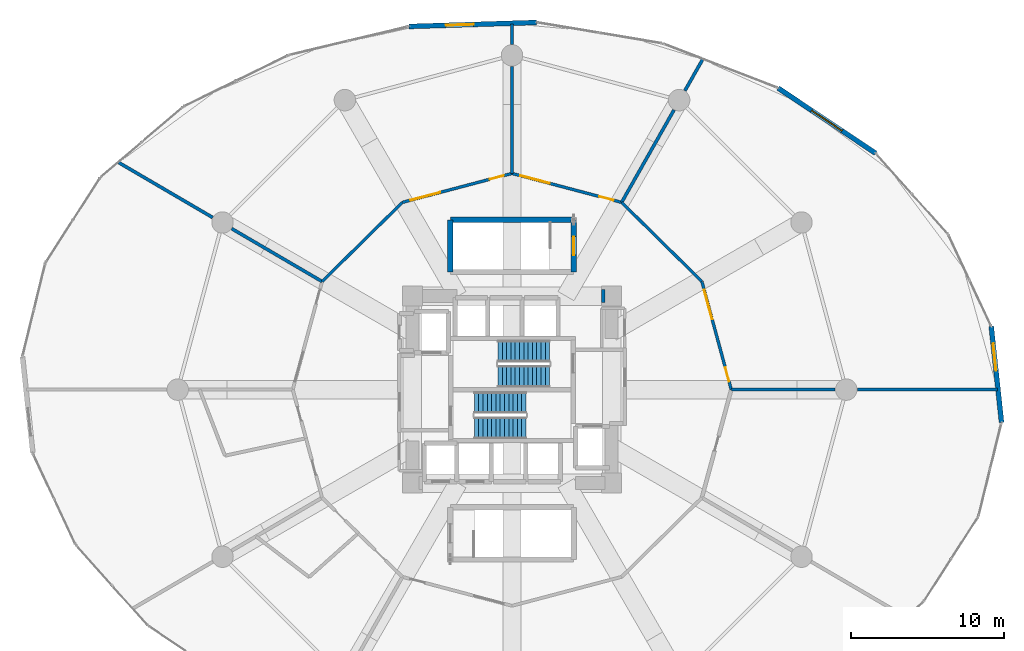
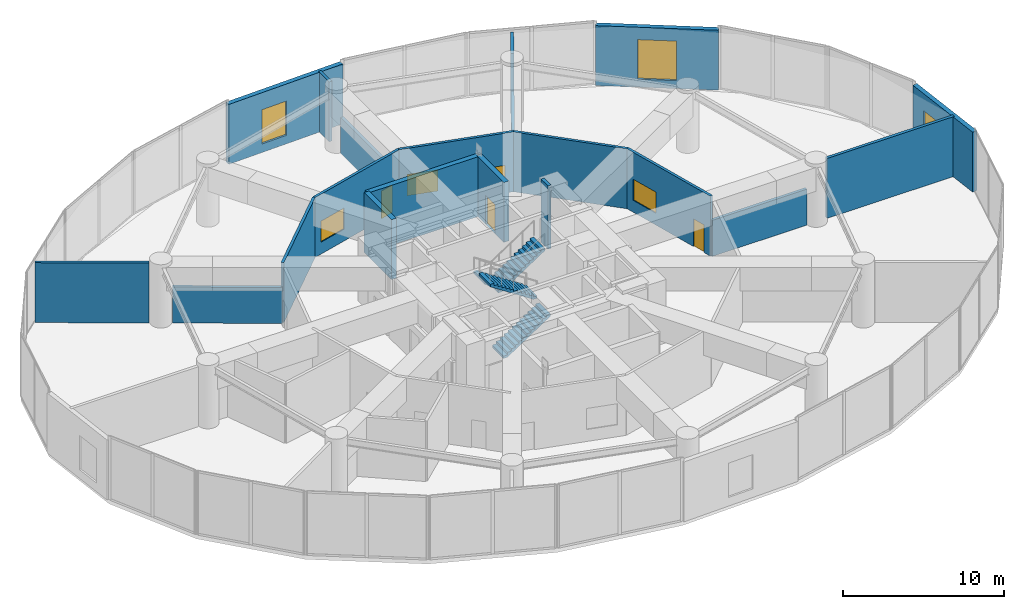
# One storey, part 25 of 27: 20 walls, 6 windows, 4 doors, 4 stair flights, 10 openings, 2 elements without a shape of their own.
"""IFC4 building model written with IfcOpenShell, lengths in metres."""

from ifc_helpers import new_model, si_unit, direction, frame, frame_2d, origin, place, context, subcontext, project, spatial, polyline, rectangle, outline, extrude, material, layer, layer_set, type_object, element, fill, aggregate, save


model = new_model("IFC4")

# Units and contexts
model_context = context("Model", 3, precision=1e-05, world=origin(), true_north=direction((0.0, 1.0)))
body_context = subcontext(model_context, "Body", "Model", "MODEL_VIEW")
ifc_project = project(units=[si_unit("LENGTHUNIT", "METRE"), si_unit("AREAUNIT", "SQUARE_METRE"), si_unit("VOLUMEUNIT", "CUBIC_METRE"), si_unit("PLANEANGLEUNIT", "RADIAN"), si_unit("MASSUNIT", "GRAM", prefix="KILO")], contexts=[model_context])

# Site, building, storey
site_placement = place(None, origin())
site = spatial("IfcSite", under=ifc_project, at=site_placement, CompositionType="ELEMENT")
building_placement = place(site_placement, origin())
building = spatial("IfcBuilding", under=site, at=building_placement, Name="Solvirekh Grand Hotel", CompositionType="ELEMENT")
storey_placement = place(building_placement, frame((0.0, 0.0, 23.60009765625)))
storey = spatial("IfcBuildingStorey", under=building, at=storey_placement, Name="L04", CompositionType="ELEMENT", Elevation=23.60009765625)

# Wall, opening, door
ifc_material_1 = material(Name="Concrete C50/60", Category="concrete")
ifc_layer_1 = layer(ifc_material_1, 0.35009765625)
ifc_layer_set_1 = layer_set([ifc_layer_1], Name="Concrete C50/60")
wall_type_1 = type_object("IfcWallType", Name="CoreDivWall_RC350", PredefinedType="SOLIDWALL", material=ifc_layer_set_1)
wall_1_placement = place(storey_placement, frame((4.02490234375, 7.675048828125, 0.0), z_axis=(0.0, 0.0, 1.0), x_axis=(0.0, 1.0, 0.0)))
wall_1 = element("IfcWall", 1, at=wall_1_placement, inside=storey, type_object=wall_type_1, Name="L04 feature stair ST-4 east landing wall", PredefinedType="SOLIDWALL", context=body_context, shape_type="SweptSolid", body=[
    extrude(rectangle(XDim=3.39990234375, YDim=0.35009765625, at=frame_2d((1.699951171875, 0.0))), origin(), (0.0, 0.0, 1.0), 4.539794921875),
])
opening_1_placement = place(wall_1_placement, frame((1.10009765625, 0.0, 0.0)))
opening_1 = element("IfcOpeningElement", 2, at=opening_1_placement, cuts=wall_1, Name="Opening D05", PredefinedType="OPENING", context=body_context, shape_type="SweptSolid", body=[
    extrude(rectangle(XDim=1.199951171875, YDim=2.199951171875, at=frame_2d((0.60009765625, 1.10009765625))), frame((0.0, 0.18505859375, 0.0), z_axis=(0.0, -1.0, 0.0), x_axis=(1.0, 0.0, 0.0)), (0.0, 0.0, 1.0), 0.3701171875),
])
ifc_material_2 = material(Name="Fire-Rated Steel Door Assembly", Category="steel")
door_type_1 = type_object("IfcDoorType", Name="Door_StairCore_1200X2200", OperationType="NOTDEFINED", PredefinedType="DOOR", material=ifc_material_2)
door_1_placement = place(opening_1_placement, origin())
door_1 = element("IfcDoor", 3, at=door_1_placement, inside=storey, type_object=door_type_1, Name="L04 feature stair ST-4 fire door", OperationType="SINGLE_SWING_RIGHT", OverallHeight=2.199951171875, OverallWidth=1.199951171875, PredefinedType="DOOR", context=body_context, shape_type="SweptSolid", body=[
    extrude(rectangle(XDim=1.199951171875, YDim=2.199951171875, at=frame_2d((0.60009765625, 1.10009765625))), frame((0.0, 0.02490234375, 0.0), z_axis=(0.0, -1.0, 0.0), x_axis=(1.0, 0.0, 0.0)), (0.0, 0.0, 1.0), 0.050048828125),
])
fill(opening_1, door_1)

# Walls
wall_2_placement = place(storey_placement, frame((4.02490234375, 11.074951171875, 0.0), z_axis=(0.0, 0.0, 1.0), x_axis=(-1.0, 0.0, 0.0)))
element("IfcWall", 4, at=wall_2_placement, inside=storey, type_object=wall_type_1, Name="L04 feature stair ST-4 N enclosure wall", PredefinedType="SOLIDWALL", context=body_context, shape_type="SweptSolid", body=[
    extrude(rectangle(XDim=8.0498046875, YDim=0.35009765625, at=frame_2d((4.02490234375, 0.0))), origin(), (0.0, 0.0, 1.0), 4.539794921875),
])
wall_3_placement = place(storey_placement, frame((-4.02490234375, 11.074951171875, 0.0), z_axis=(0.0, 0.0, 1.0), x_axis=(0.0, -1.0, 0.0)))
element("IfcWall", 5, at=wall_3_placement, inside=storey, type_object=wall_type_1, Name="L04 feature stair ST-4 W enclosure wall", PredefinedType="SOLIDWALL", context=body_context, shape_type="SweptSolid", body=[
    extrude(rectangle(XDim=3.39990234375, YDim=0.35009765625, at=frame_2d((1.699951171875, 0.0))), origin(), (0.0, 0.0, 1.0), 4.539794921875),
])
ifc_material_3 = material(Name="Concrete C60/75", Category="concrete")
ifc_layer_2 = layer(ifc_material_3, 0.85009765625)
ifc_layer_set_2 = layer_set([ifc_layer_2], Name="Concrete C60/75")
wall_type_2 = type_object("IfcWallType", Name="CoreWall_RC850", PredefinedType="SHEAR", material=ifc_layer_set_2)
wall_4_placement = place(storey_placement, frame((5.85009765625, 6.10009765625, 0.0), z_axis=(0.0, 0.0, 1.0), x_axis=(1.0, 0.0, 0.0)))
element("IfcWall", 6, at=wall_4_placement, inside=storey, type_object=wall_type_2, Name="L04 core corner shear wall NE-N", PredefinedType="SHEAR", context=body_context, shape_type="SweptSolid", body=[
    extrude(rectangle(XDim=0.224853515625, YDim=0.85009765625, at=frame_2d((0.1123046875, 0.0))), origin(), (0.0, 0.0, 1.0), 4.7998046875),
])

# Wall, opening, window
ifc_material_4 = material(Name="Precast concrete C45/55", Category="concrete")
ifc_layer_3 = layer(ifc_material_4, 0.320068359375)
ifc_layer_set_3 = layer_set([ifc_layer_3], Name="Precast concrete C45/55")
wall_type_3 = type_object("IfcWallType", Name="ExtLobbyWall_RC320", PredefinedType="SOLIDWALL", material=ifc_layer_set_3)
wall_5_placement = place(storey_placement, frame((31.256103515625, 4.1279296875, 0.0), z_axis=(0.0, 0.0, 1.0), x_axis=(0.106530390003, -0.994309446805, 0.0)))
wall_5 = element("IfcWall", 7, at=wall_5_placement, inside=storey, type_object=wall_type_3, Name="L04 exterior structural wall chord 1", PredefinedType="SOLIDWALL", context=body_context, shape_type="SweptSolid", body=[
    extrude(rectangle(XDim=6.306884765625, YDim=0.320068359375, at=frame_2d((3.1533203125, 0.0))), origin(), (0.0, 0.0, 1.0), 4.539794921875),
])
opening_2_placement = place(wall_5_placement, frame((1.1240234375, 0.0, 0.64990234375)))
opening_2 = element("IfcOpeningElement", 8, at=opening_2_placement, cuts=wall_5, Name="Opening W02", PredefinedType="OPENING", context=body_context, shape_type="SweptSolid", body=[
    extrude(rectangle(XDim=1.800048828125, YDim=2.60009765625, at=frame_2d((0.89990234375, 1.300048828125))), frame((0.0, 0.169921875, 0.0), z_axis=(0.0, -1.0, 0.0), x_axis=(1.0, 0.0, 0.0)), (0.0, 0.0, 1.0), 0.340087890625),
])
ifc_material_5 = material(Name="Low-E Tinted Bronze Laminated Glass", Category="aluminium")
window_type_1 = type_object("IfcWindowType", Name="Win_LobbyExt_1800X2600", PartitioningType="SINGLE_PANEL", PredefinedType="WINDOW", material=ifc_material_5)
window_1_placement = place(opening_2_placement, origin())
window_1 = element("IfcWindow", 9, at=window_1_placement, inside=storey, type_object=window_type_1, Name="L04 panoramic bronze-framed window 1", OverallHeight=2.60009765625, OverallWidth=1.800048828125, PartitioningType="SINGLE_PANEL", PredefinedType="WINDOW", context=body_context, shape_type="SweptSolid", body=[
    extrude(rectangle(XDim=1.800048828125, YDim=2.60009765625, at=frame_2d((0.89990234375, 1.300048828125))), frame((0.0, 0.030029296875, 0.0), z_axis=(0.0, -1.0, 0.0), x_axis=(1.0, 0.0, 0.0)), (0.0, 0.0, 1.0), 0.06005859375),
])
fill(opening_2, window_1)

wall_6_placement = place(storey_placement, frame((17.35595703125, 19.666015625, 0.0), z_axis=(0.0, 0.0, 1.0), x_axis=(0.831381626456, -0.555701890577, 0.0)))
wall_6 = element("IfcWall", 10, at=wall_6_placement, inside=storey, type_object=wall_type_3, Name="L04 exterior structural wall chord 4", PredefinedType="SOLIDWALL", context=body_context, shape_type="SweptSolid", body=[
    extrude(rectangle(XDim=7.646240234375, YDim=0.320068359375, at=frame_2d((3.8232421875, 0.0))), origin(), (0.0, 0.0, 1.0), 4.539794921875),
])
opening_3_placement = place(wall_6_placement, frame((2.623046875, 0.0, 0.60009765625)))
opening_3 = element("IfcOpeningElement", 11, at=opening_3_placement, cuts=wall_6, Name="Opening SK01", PredefinedType="OPENING", context=body_context, shape_type="SweptSolid", body=[
    extrude(rectangle(XDim=2.39990234375, YDim=3.0, at=frame_2d((1.199951171875, 1.5))), frame((0.0, 0.169921875, 0.0), z_axis=(0.0, -1.0, 0.0), x_axis=(1.0, 0.0, 0.0)), (0.0, 0.0, 1.0), 0.340087890625),
])
ifc_material_6 = material(Name="Champagne Low-Iron Crown Laminated Glass", Category="glass")
window_type_2 = type_object("IfcWindowType", Name="Skylight_Podium_2400X3000", PartitioningType="SINGLE_PANEL", PredefinedType="SKYLIGHT", material=ifc_material_6)
window_2_placement = place(opening_3_placement, origin())
window_2 = element("IfcWindow", 12, at=window_2_placement, inside=storey, type_object=window_type_2, Name="L04 high-level clerestory skylight 4", OverallHeight=3.0, OverallWidth=2.39990234375, PartitioningType="SINGLE_PANEL", PredefinedType="SKYLIGHT", context=body_context, shape_type="SweptSolid", body=[
    extrude(rectangle(XDim=2.39990234375, YDim=3.0, at=frame_2d((1.199951171875, 1.5))), frame((0.0, 0.030029296875, 0.0), z_axis=(0.0, -1.0, 0.0), x_axis=(1.0, 0.0, 0.0)), (0.0, 0.0, 1.0), 0.06005859375),
])
fill(opening_3, window_2)

wall_7_placement = place(storey_placement, frame((-6.7109375, 23.68505859375, 0.0), z_axis=(0.0, 0.0, 1.0), x_axis=(0.999508118347, 0.031361144071, 0.0)))
wall_7 = element("IfcWall", 13, at=wall_7_placement, inside=storey, type_object=wall_type_3, Name="L04 exterior structural wall chord 7", PredefinedType="SOLIDWALL", context=body_context, shape_type="SweptSolid", body=[
    extrude(rectangle(XDim=8.322021484375, YDim=0.320068359375, at=frame_2d((4.1611328125, 0.0))), origin(), (0.0, 0.0, 1.0), 4.539794921875),
])
opening_4_placement = place(wall_7_placement, frame((2.406982421875, 0.0, 0.64990234375)))
opening_4 = element("IfcOpeningElement", 14, at=opening_4_placement, cuts=wall_7, Name="Opening W02", PredefinedType="OPENING", context=body_context, shape_type="SweptSolid", body=[
    extrude(rectangle(XDim=1.800048828125, YDim=2.60009765625, at=frame_2d((0.89990234375, 1.300048828125))), frame((0.0, 0.169921875, 0.0), z_axis=(0.0, -1.0, 0.0), x_axis=(1.0, 0.0, 0.0)), (0.0, 0.0, 1.0), 0.340087890625),
])
window_3_placement = place(opening_4_placement, origin())
window_3 = element("IfcWindow", 15, at=window_3_placement, inside=storey, type_object=window_type_1, Name="L04 panoramic bronze-framed window 7", OverallHeight=2.60009765625, OverallWidth=1.800048828125, PartitioningType="SINGLE_PANEL", PredefinedType="WINDOW", context=body_context, shape_type="SweptSolid", body=[
    extrude(rectangle(XDim=1.800048828125, YDim=2.60009765625, at=frame_2d((0.89990234375, 1.300048828125))), frame((0.0, 0.030029296875, 0.0), z_axis=(0.0, -1.0, 0.0), x_axis=(1.0, 0.0, 0.0)), (0.0, 0.0, 1.0), 0.06005859375),
])
fill(opening_4, window_3)

# Wall, openings, door, window
ifc_material_7 = material(Name="Acoustic Gypsum Partition Assembly")
ifc_layer_4 = layer(ifc_material_7, 0.18994140625)
ifc_layer_set_4 = layer_set([ifc_layer_4], Name="Acoustic Gypsum Partition Assembly")
wall_type_4 = type_object("IfcWallType", Name="Part_GuestDemise_190", PredefinedType="PARTITIONING", material=ifc_layer_set_4)
wall_8_placement = place(storey_placement, frame((14.300048828125, 0.0, 0.0), z_axis=(0.0, 0.0, 1.0), x_axis=(-0.262260528785, 0.964997106235, 0.0)))
wall_8 = element("IfcWall", 16, at=wall_8_placement, inside=storey, type_object=wall_type_4, Name="L04 Thermal Wellness Spa & Hydrotherapy Pool Hall corridor wall", PredefinedType="PARTITIONING", context=body_context, shape_type="SweptSolid", body=[
    extrude(rectangle(XDim=7.3056640625, YDim=0.18994140625, at=frame_2d((3.65283203125, 0.0))), origin(), (0.0, 0.0, 1.0), 4.539794921875),
])
opening_5_placement = place(wall_8_placement, frame((0.550048828125, 0.0, 0.0)))
opening_5 = element("IfcOpeningElement", 17, at=opening_5_placement, cuts=wall_8, Name="Opening D10", PredefinedType="OPENING", context=body_context, shape_type="SweptSolid", body=[
    extrude(rectangle(XDim=0.949951171875, YDim=2.10009765625, at=frame_2d((0.47509765625, 1.050048828125))), frame((0.0, 0.10498046875, 0.0), z_axis=(0.0, -1.0, 0.0), x_axis=(1.0, 0.0, 0.0)), (0.0, 0.0, 1.0), 0.2099609375),
])
opening_6_placement = place(wall_8_placement, frame((4.756103515625, 0.0, 0.89990234375)))
opening_6 = element("IfcOpeningElement", 18, at=opening_6_placement, cuts=wall_8, Name="Opening W03", PredefinedType="OPENING", context=body_context, shape_type="SweptSolid", body=[
    extrude(rectangle(XDim=2.0, YDim=1.60009765625, at=frame_2d((1.0, 0.800048828125))), frame((0.0, 0.10498046875, 0.0), z_axis=(0.0, -1.0, 0.0), x_axis=(1.0, 0.0, 0.0)), (0.0, 0.0, 1.0), 0.2099609375),
])
ifc_material_8 = material(Name="Anodized Bronze Aluminium 6063-T6", Category="aluminium")
door_type_2 = type_object("IfcDoorType", Name="Door_RoomInt_950X2100", OperationType="NOTDEFINED", PredefinedType="DOOR", material=ifc_material_8)
door_2_placement = place(opening_5_placement, origin())
door_2 = element("IfcDoor", 19, at=door_2_placement, inside=storey, type_object=door_type_2, Name="L04 Thermal Wellness Spa & Hydrotherapy Pool Hall entrance door", OperationType="SINGLE_SWING_RIGHT", OverallHeight=2.10009765625, OverallWidth=0.949951171875, PredefinedType="DOOR", context=body_context, shape_type="SweptSolid", body=[
    extrude(rectangle(XDim=0.949951171875, YDim=2.10009765625, at=frame_2d((0.47509765625, 1.050048828125))), frame((0.0, 0.02490234375, 0.0), z_axis=(0.0, -1.0, 0.0), x_axis=(1.0, 0.0, 0.0)), (0.0, 0.0, 1.0), 0.050048828125),
])
fill(opening_5, door_2)
ifc_material_9 = material(Name="Fire-Rated Ceramic Glazing", Category="glass")
window_type_3 = type_object("IfcWindowType", Name="Win_FoyerInt_2000X1600", PartitioningType="SINGLE_PANEL", PredefinedType="WINDOW", material=ifc_material_9)
window_4_placement = place(opening_6_placement, origin())
window_4 = element("IfcWindow", 20, at=window_4_placement, inside=storey, type_object=window_type_3, Name="L04 Thermal Wellness Spa & Hydrotherapy Pool Hall interior glazed screen", OverallHeight=1.60009765625, OverallWidth=2.0, PartitioningType="SINGLE_PANEL", PredefinedType="WINDOW", context=body_context, shape_type="SweptSolid", body=[
    extrude(rectangle(XDim=2.0, YDim=1.60009765625, at=frame_2d((1.0, 0.800048828125))), frame((0.0, 0.030029296875, 0.0), z_axis=(0.0, -1.0, 0.0), x_axis=(1.0, 0.0, 0.0)), (0.0, 0.0, 1.0), 0.06005859375),
])
fill(opening_6, window_4)

# Wall
wall_9_placement = place(storey_placement, frame((12.384033203125, 7.050048828125, 0.0), z_axis=(0.0, 0.0, 1.0), x_axis=(-0.712071304345, 0.702107155303, 0.0)))
element("IfcWall", 21, at=wall_9_placement, inside=storey, type_object=wall_type_4, Name="L04 Thermal Wellness Spa & Hydrotherapy Pool Hall corridor wall 2", PredefinedType="PARTITIONING", context=body_context, shape_type="SweptSolid", body=[
    extrude(rectangle(XDim=7.3505859375, YDim=0.18994140625, at=frame_2d((3.67529296875, 0.0))), origin(), (0.0, 0.0, 1.0), 4.539794921875),
])

# Wall, openings, door, window
wall_10_placement = place(storey_placement, frame((7.14990234375, 12.2109375, 0.0), z_axis=(0.0, 0.0, 1.0), x_axis=(-0.966820901533, 0.255455170937, 0.0)))
wall_10 = element("IfcWall", 22, at=wall_10_placement, inside=storey, type_object=wall_type_4, Name="L04 Vitality Spa Reception Salon corridor wall", PredefinedType="PARTITIONING", context=body_context, shape_type="SweptSolid", body=[
    extrude(rectangle(XDim=7.395263671875, YDim=0.18994140625, at=frame_2d((3.69775390625, 0.0))), origin(), (0.0, 0.0, 1.0), 4.539794921875),
])
opening_7_placement = place(wall_10_placement, frame((0.550048828125, 0.0, 0.0)))
opening_7 = element("IfcOpeningElement", 23, at=opening_7_placement, cuts=wall_10, Name="Opening D10", PredefinedType="OPENING", context=body_context, shape_type="SweptSolid", body=[
    extrude(rectangle(XDim=0.949951171875, YDim=2.10009765625, at=frame_2d((0.47509765625, 1.050048828125))), frame((0.0, 0.10498046875, 0.0), z_axis=(0.0, -1.0, 0.0), x_axis=(1.0, 0.0, 0.0)), (0.0, 0.0, 1.0), 0.2099609375),
])
opening_8_placement = place(wall_10_placement, frame((4.844970703125, 0.0, 0.89990234375)))
opening_8 = element("IfcOpeningElement", 24, at=opening_8_placement, cuts=wall_10, Name="Opening W03", PredefinedType="OPENING", context=body_context, shape_type="SweptSolid", body=[
    extrude(rectangle(XDim=2.0, YDim=1.60009765625, at=frame_2d((1.0, 0.800048828125))), frame((0.0, 0.10498046875, 0.0), z_axis=(0.0, -1.0, 0.0), x_axis=(1.0, 0.0, 0.0)), (0.0, 0.0, 1.0), 0.2099609375),
])
door_3_placement = place(opening_7_placement, origin())
door_3 = element("IfcDoor", 25, at=door_3_placement, inside=storey, type_object=door_type_2, Name="L04 Vitality Spa Reception Salon entrance door", OperationType="SINGLE_SWING_LEFT", OverallHeight=2.10009765625, OverallWidth=0.949951171875, PredefinedType="DOOR", context=body_context, shape_type="SweptSolid", body=[
    extrude(rectangle(XDim=0.949951171875, YDim=2.10009765625, at=frame_2d((0.47509765625, 1.050048828125))), frame((0.0, 0.02490234375, 0.0), z_axis=(0.0, -1.0, 0.0), x_axis=(1.0, 0.0, 0.0)), (0.0, 0.0, 1.0), 0.050048828125),
])
fill(opening_7, door_3)
window_5_placement = place(opening_8_placement, origin())
window_5 = element("IfcWindow", 26, at=window_5_placement, inside=storey, type_object=window_type_3, Name="L04 Vitality Spa Reception Salon interior glazed screen", OverallHeight=1.60009765625, OverallWidth=2.0, PartitioningType="SINGLE_PANEL", PredefinedType="WINDOW", context=body_context, shape_type="SweptSolid", body=[
    extrude(rectangle(XDim=2.0, YDim=1.60009765625, at=frame_2d((1.0, 0.800048828125))), frame((0.0, 0.030029296875, 0.0), z_axis=(0.0, -1.0, 0.0), x_axis=(1.0, 0.0, 0.0)), (0.0, 0.0, 1.0), 0.06005859375),
])
fill(opening_8, window_5)

wall_11_placement = place(storey_placement, frame((0.0, 14.10009765625, 0.0), z_axis=(0.0, 0.0, 1.0), x_axis=(-0.966820901533, -0.255455170937, 0.0)))
wall_11 = element("IfcWall", 27, at=wall_11_placement, inside=storey, type_object=wall_type_4, Name="L04 Russian Banya & Steam Relaxation Lounge corridor wall", PredefinedType="PARTITIONING", context=body_context, shape_type="SweptSolid", body=[
    extrude(rectangle(XDim=7.395263671875, YDim=0.18994140625, at=frame_2d((3.69775390625, 0.0))), origin(), (0.0, 0.0, 1.0), 4.539794921875),
])
opening_9_placement = place(wall_11_placement, frame((0.550048828125, 0.0, 0.0)))
opening_9 = element("IfcOpeningElement", 28, at=opening_9_placement, cuts=wall_11, Name="Opening D10", PredefinedType="OPENING", context=body_context, shape_type="SweptSolid", body=[
    extrude(rectangle(XDim=0.949951171875, YDim=2.10009765625, at=frame_2d((0.47509765625, 1.050048828125))), frame((0.0, 0.10498046875, 0.0), z_axis=(0.0, -1.0, 0.0), x_axis=(1.0, 0.0, 0.0)), (0.0, 0.0, 1.0), 0.2099609375),
])
opening_10_placement = place(wall_11_placement, frame((4.844970703125, 0.0, 0.89990234375)))
opening_10 = element("IfcOpeningElement", 29, at=opening_10_placement, cuts=wall_11, Name="Opening W03", PredefinedType="OPENING", context=body_context, shape_type="SweptSolid", body=[
    extrude(rectangle(XDim=2.0, YDim=1.60009765625, at=frame_2d((1.0, 0.800048828125))), frame((0.0, 0.10498046875, 0.0), z_axis=(0.0, -1.0, 0.0), x_axis=(1.0, 0.0, 0.0)), (0.0, 0.0, 1.0), 0.2099609375),
])
door_4_placement = place(opening_9_placement, origin())
door_4 = element("IfcDoor", 30, at=door_4_placement, inside=storey, type_object=door_type_2, Name="L04 Russian Banya & Steam Relaxation Lounge entrance door", OperationType="SINGLE_SWING_RIGHT", OverallHeight=2.10009765625, OverallWidth=0.949951171875, PredefinedType="DOOR", context=body_context, shape_type="SweptSolid", body=[
    extrude(rectangle(XDim=0.949951171875, YDim=2.10009765625, at=frame_2d((0.47509765625, 1.050048828125))), frame((0.0, 0.02490234375, 0.0), z_axis=(0.0, -1.0, 0.0), x_axis=(1.0, 0.0, 0.0)), (0.0, 0.0, 1.0), 0.050048828125),
])
fill(opening_9, door_4)
window_6_placement = place(opening_10_placement, origin())
window_6 = element("IfcWindow", 31, at=window_6_placement, inside=storey, type_object=window_type_3, Name="L04 Russian Banya & Steam Relaxation Lounge interior glazed screen", OverallHeight=1.60009765625, OverallWidth=2.0, PartitioningType="SINGLE_PANEL", PredefinedType="WINDOW", context=body_context, shape_type="SweptSolid", body=[
    extrude(rectangle(XDim=2.0, YDim=1.60009765625, at=frame_2d((1.0, 0.800048828125))), frame((0.0, 0.030029296875, 0.0), z_axis=(0.0, -1.0, 0.0), x_axis=(1.0, 0.0, 0.0)), (0.0, 0.0, 1.0), 0.06005859375),
])
fill(opening_10, window_6)

# Walls
wall_12_placement = place(storey_placement, frame((-7.14990234375, 12.2109375, 0.0), z_axis=(0.0, 0.0, 1.0), x_axis=(-0.712071304345, -0.702107155303, 0.0)))
element("IfcWall", 32, at=wall_12_placement, inside=storey, type_object=wall_type_4, Name="L04 Russian Banya & Steam Relaxation Lounge corridor wall 2", PredefinedType="PARTITIONING", context=body_context, shape_type="SweptSolid", body=[
    extrude(rectangle(XDim=7.3505859375, YDim=0.18994140625, at=frame_2d((3.67529296875, 0.0))), origin(), (0.0, 0.0, 1.0), 4.539794921875),
])
ifc_layer_5 = layer(ifc_material_7, 0.2099609375)
ifc_layer_set_5 = layer_set([ifc_layer_5], Name="Acoustic Gypsum Partition Assembly")
wall_type_5 = type_object("IfcWallType", Name="Part_SuiteDemise_210", PredefinedType="PARTITIONING", material=ifc_layer_set_5)
wall_13_placement = place(storey_placement, frame((14.300048828125, 0.0, 0.0), z_axis=(0.0, 0.0, 1.0), x_axis=(1.0, 0.0, 0.0)))
element("IfcWall", 33, at=wall_13_placement, inside=storey, type_object=wall_type_5, Name="L04 radial demising wall 1 (A)", PredefinedType="PARTITIONING", context=body_context, shape_type="SweptSolid", body=[
    extrude(rectangle(XDim=6.780029296875, YDim=0.2099609375, at=frame_2d((3.39013671875, 0.0))), origin(), (0.0, 0.0, 1.0), 2.724853515625),
])
wall_14_placement = place(storey_placement, frame((22.52001953125, 0.0, 0.0), z_axis=(0.0, 0.0, 1.0), x_axis=(1.0, 0.0, 0.0)))
element("IfcWall", 34, at=wall_14_placement, inside=storey, type_object=wall_type_5, Name="L04 radial demising wall 1 (B)", PredefinedType="PARTITIONING", context=body_context, shape_type="SweptSolid", body=[
    extrude(rectangle(XDim=9.137939453125, YDim=0.2099609375, at=frame_2d((4.56884765625, 0.0))), origin(), (0.0, 0.0, 1.0), 4.539794921875),
])
wall_15_placement = place(storey_placement, frame((7.14990234375, 12.2109375, 0.0), z_axis=(0.0, 0.0, 1.0), x_axis=(0.493009905658, 0.87002369676, 0.0)))
element("IfcWall", 35, at=wall_15_placement, inside=storey, type_object=wall_type_5, Name="L04 radial demising wall 3 (A)", PredefinedType="PARTITIONING", context=body_context, shape_type="SweptSolid", body=[
    extrude(rectangle(XDim=6.930908203125, YDim=0.2099609375, at=frame_2d((3.46533203125, 0.0))), origin(), (0.0, 0.0, 1.0), 2.724853515625),
])
wall_16_placement = place(storey_placement, frame((11.27587890625, 19.492919921875, 0.0), z_axis=(0.0, 0.0, 1.0), x_axis=(0.493041569547, 0.870005753256, 0.0)))
element("IfcWall", 36, at=wall_16_placement, inside=storey, type_object=wall_type_5, Name="L04 radial demising wall 3 (B)", PredefinedType="PARTITIONING", context=body_context, shape_type="SweptSolid", body=[
    extrude(rectangle(XDim=2.336669921875, YDim=0.2099609375, at=frame_2d((1.16845703125, 0.0))), origin(), (0.0, 0.0, 1.0), 4.539794921875),
])
wall_17_placement = place(storey_placement, frame((0.0, 14.10009765625, 0.0), z_axis=(0.0, 0.0, 1.0), x_axis=(0.0, 1.0, 0.0)))
element("IfcWall", 37, at=wall_17_placement, inside=storey, type_object=wall_type_5, Name="L04 radial demising wall 4 (A)", PredefinedType="PARTITIONING", context=body_context, shape_type="SweptSolid", body=[
    extrude(rectangle(XDim=6.97998046875, YDim=0.2099609375, at=frame_2d((3.489990234375, 0.0))), origin(), (0.0, 0.0, 1.0), 2.724853515625),
])
wall_18_placement = place(storey_placement, frame((0.0, 22.52001953125, 0.0), z_axis=(0.0, 0.0, 1.0), x_axis=(0.0, 1.0, 0.0)))
element("IfcWall", 38, at=wall_18_placement, inside=storey, type_object=wall_type_5, Name="L04 radial demising wall 4 (B)", PredefinedType="PARTITIONING", context=body_context, shape_type="SweptSolid", body=[
    extrude(rectangle(XDim=1.3359375, YDim=0.2099609375, at=frame_2d((0.66796875, 0.0))), origin(), (0.0, 0.0, 1.0), 4.539794921875),
])
wall_19_placement = place(storey_placement, frame((-12.384033203125, 7.050048828125, 0.0), z_axis=(0.0, 0.0, 1.0), x_axis=(-0.863200238908, 0.504861711313, 0.0)))
element("IfcWall", 39, at=wall_19_placement, inside=storey, type_object=wall_type_5, Name="L04 radial demising wall 6 (A)", PredefinedType="PARTITIONING", context=body_context, shape_type="SweptSolid", body=[
    extrude(rectangle(XDim=6.83154296875, YDim=0.2099609375, at=frame_2d((3.415771484375, 0.0))), origin(), (0.0, 0.0, 1.0), 2.724853515625),
])
wall_20_placement = place(storey_placement, frame((-19.52197265625, 11.22509765625, 0.0), z_axis=(0.0, 0.0, 1.0), x_axis=(-0.863224110389, 0.504820894222, 0.0)))
element("IfcWall", 40, at=wall_20_placement, inside=storey, type_object=wall_type_5, Name="L04 radial demising wall 6 (B)", PredefinedType="PARTITIONING", context=body_context, shape_type="SweptSolid", body=[
    extrude(rectangle(XDim=7.09326171875, YDim=0.2099609375, at=frame_2d((3.546630859375, 0.0))), origin(), (0.0, 0.0, 1.0), 4.539794921875),
])

# Stair, stair flights
ifc_material_10 = material(Name="Concrete C40/50", Category="concrete")
stair_type = type_object("IfcStairType", Name="Stair_Core_1450", PredefinedType="HALF_TURN_STAIR", material=ifc_material_10)
stair_1_placement = place(storey_placement, origin())
stair_1 = element("IfcStair", 41, at=stair_1_placement, inside=storey, type_object=stair_type, Name="L04 Enclosed exit stair ST-1", PredefinedType="HALF_TURN_STAIR")
stair_flight_type = type_object("IfcStairFlightType", Name="Flight_Core_1450", PredefinedType="STRAIGHT", material=ifc_material_10)
stair_flight_1_placement = place(storey_placement, frame((-2.449951171875, -2.5, 0.0), z_axis=(0.0, 0.0, 1.0), x_axis=(1.0, 0.0, 0.0)))
stair_flight_1 = element("IfcStairFlight", 42, at=stair_flight_1_placement, type_object=stair_flight_type, Name="ST-1 flight 1", NumberOfRisers=13, NumberOfTreads=12, PredefinedType="STRAIGHT", RiserHeight=0.184615385, TreadLength=0.28, context=body_context, shape_type="SweptSolid", body=[
    extrude(outline(polyline([(0.0, 0.0), (0.0, 0.1845703125), (0.280029296875, 0.1845703125), (0.280029296875, 0.369140625), (0.56005859375, 0.369140625), (0.56005859375, 0.553955078125), (0.840087890625, 0.553955078125), (0.840087890625, 0.738525390625), (1.1201171875, 0.738525390625), (1.1201171875, 0.923095703125), (1.39990234375, 0.923095703125), (1.39990234375, 1.107666015625), (1.679931640625, 1.107666015625), (1.679931640625, 1.292236328125), (1.9599609375, 1.292236328125), (1.9599609375, 1.476806640625), (2.239990234375, 1.476806640625), (2.239990234375, 1.66162109375), (2.52001953125, 1.66162109375), (2.52001953125, 1.84619140625), (2.800048828125, 1.84619140625), (2.800048828125, 2.03076171875), (3.080078125, 2.03076171875), (3.080078125, 2.21533203125), (3.360107421875, 2.21533203125), (3.360107421875, 2.39990234375), (3.360107421875, 2.035888671875), (0.272216796875, 0.0), (0.0, 0.0)])), frame((0.0, 0.699951171875, 0.0), z_axis=(0.0, -1.0, 0.0), x_axis=(1.0, 0.0, 0.0)), (0.0, 0.0, 1.0), 1.39990234375),
])
stair_flight_2_placement = place(storey_placement, frame((0.909912109375, -0.85009765625, 2.39990234375), z_axis=(0.0, 0.0, 1.0), x_axis=(-1.0, 0.0, 0.0)))
stair_flight_2 = element("IfcStairFlight", 43, at=stair_flight_2_placement, type_object=stair_flight_type, Name="ST-1 flight 2", NumberOfRisers=13, NumberOfTreads=12, PredefinedType="STRAIGHT", RiserHeight=0.184615385, TreadLength=0.28, context=body_context, shape_type="SweptSolid", body=[
    extrude(outline(polyline([(0.0, 0.0), (0.0, 0.1845703125), (0.280029296875, 0.1845703125), (0.280029296875, 0.369140625), (0.56005859375, 0.369140625), (0.56005859375, 0.553955078125), (0.840087890625, 0.553955078125), (0.840087890625, 0.738525390625), (1.1201171875, 0.738525390625), (1.1201171875, 0.923095703125), (1.39990234375, 0.923095703125), (1.39990234375, 1.107666015625), (1.679931640625, 1.107666015625), (1.679931640625, 1.292236328125), (1.9599609375, 1.292236328125), (1.9599609375, 1.476806640625), (2.239990234375, 1.476806640625), (2.239990234375, 1.66162109375), (2.52001953125, 1.66162109375), (2.52001953125, 1.84619140625), (2.800048828125, 1.84619140625), (2.800048828125, 2.03076171875), (3.080078125, 2.03076171875), (3.080078125, 2.21533203125), (3.360107421875, 2.21533203125), (3.360107421875, 2.39990234375), (3.360107421875, 2.035888671875), (0.272216796875, 0.0), (0.0, 0.0)])), frame((0.0, 0.699951171875, 0.0), z_axis=(0.0, -1.0, 0.0), x_axis=(1.0, 0.0, 0.0)), (0.0, 0.0, 1.0), 1.39990234375),
])
aggregate(stair_1, [stair_flight_1, stair_flight_2])

stair_2_placement = place(storey_placement, origin())
stair_2 = element("IfcStair", 44, at=stair_2_placement, inside=storey, type_object=stair_type, Name="L04 Enclosed exit stair ST-2", PredefinedType="HALF_TURN_STAIR")
stair_flight_3_placement = place(storey_placement, frame((2.449951171875, 2.5, 0.0), z_axis=(0.0, 0.0, 1.0), x_axis=(-1.0, 0.0, 0.0)))
stair_flight_3 = element("IfcStairFlight", 45, at=stair_flight_3_placement, type_object=stair_flight_type, Name="ST-2 flight 1", NumberOfRisers=13, NumberOfTreads=12, PredefinedType="STRAIGHT", RiserHeight=0.184615385, TreadLength=0.28, context=body_context, shape_type="SweptSolid", body=[
    extrude(outline(polyline([(0.0, 0.0), (0.0, 0.1845703125), (0.280029296875, 0.1845703125), (0.280029296875, 0.369140625), (0.56005859375, 0.369140625), (0.56005859375, 0.553955078125), (0.840087890625, 0.553955078125), (0.840087890625, 0.738525390625), (1.1201171875, 0.738525390625), (1.1201171875, 0.923095703125), (1.39990234375, 0.923095703125), (1.39990234375, 1.107666015625), (1.679931640625, 1.107666015625), (1.679931640625, 1.292236328125), (1.9599609375, 1.292236328125), (1.9599609375, 1.476806640625), (2.239990234375, 1.476806640625), (2.239990234375, 1.66162109375), (2.52001953125, 1.66162109375), (2.52001953125, 1.84619140625), (2.800048828125, 1.84619140625), (2.800048828125, 2.03076171875), (3.080078125, 2.03076171875), (3.080078125, 2.21533203125), (3.360107421875, 2.21533203125), (3.360107421875, 2.39990234375), (3.360107421875, 2.035888671875), (0.272216796875, 0.0), (0.0, 0.0)])), frame((0.0, 0.699951171875, 0.0), z_axis=(0.0, -1.0, 0.0), x_axis=(1.0, 0.0, 0.0)), (0.0, 0.0, 1.0), 1.39990234375),
])
stair_flight_4_placement = place(storey_placement, frame((-0.909912109375, 0.85009765625, 2.39990234375), z_axis=(0.0, 0.0, 1.0), x_axis=(1.0, 0.0, 0.0)))
stair_flight_4 = element("IfcStairFlight", 46, at=stair_flight_4_placement, type_object=stair_flight_type, Name="ST-2 flight 2", NumberOfRisers=13, NumberOfTreads=12, PredefinedType="STRAIGHT", RiserHeight=0.184615385, TreadLength=0.28, context=body_context, shape_type="SweptSolid", body=[
    extrude(outline(polyline([(0.0, 0.0), (0.0, 0.1845703125), (0.280029296875, 0.1845703125), (0.280029296875, 0.369140625), (0.56005859375, 0.369140625), (0.56005859375, 0.553955078125), (0.840087890625, 0.553955078125), (0.840087890625, 0.738525390625), (1.1201171875, 0.738525390625), (1.1201171875, 0.923095703125), (1.39990234375, 0.923095703125), (1.39990234375, 1.107666015625), (1.679931640625, 1.107666015625), (1.679931640625, 1.292236328125), (1.9599609375, 1.292236328125), (1.9599609375, 1.476806640625), (2.239990234375, 1.476806640625), (2.239990234375, 1.66162109375), (2.52001953125, 1.66162109375), (2.52001953125, 1.84619140625), (2.800048828125, 1.84619140625), (2.800048828125, 2.03076171875), (3.080078125, 2.03076171875), (3.080078125, 2.21533203125), (3.360107421875, 2.21533203125), (3.360107421875, 2.39990234375), (3.360107421875, 2.035888671875), (0.272216796875, 0.0), (0.0, 0.0)])), frame((0.0, 0.699951171875, 0.0), z_axis=(0.0, -1.0, 0.0), x_axis=(1.0, 0.0, 0.0)), (0.0, 0.0, 1.0), 1.39990234375),
])
aggregate(stair_2, [stair_flight_3, stair_flight_4])

save(model, "model.ifc")
